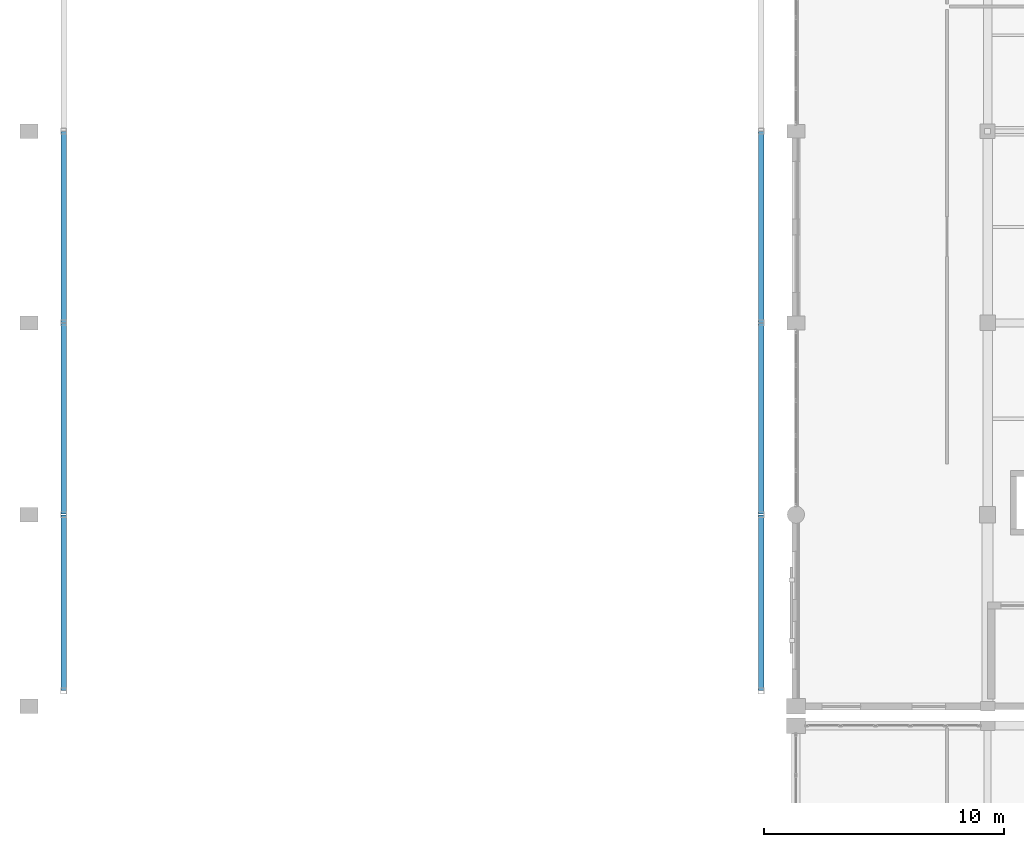
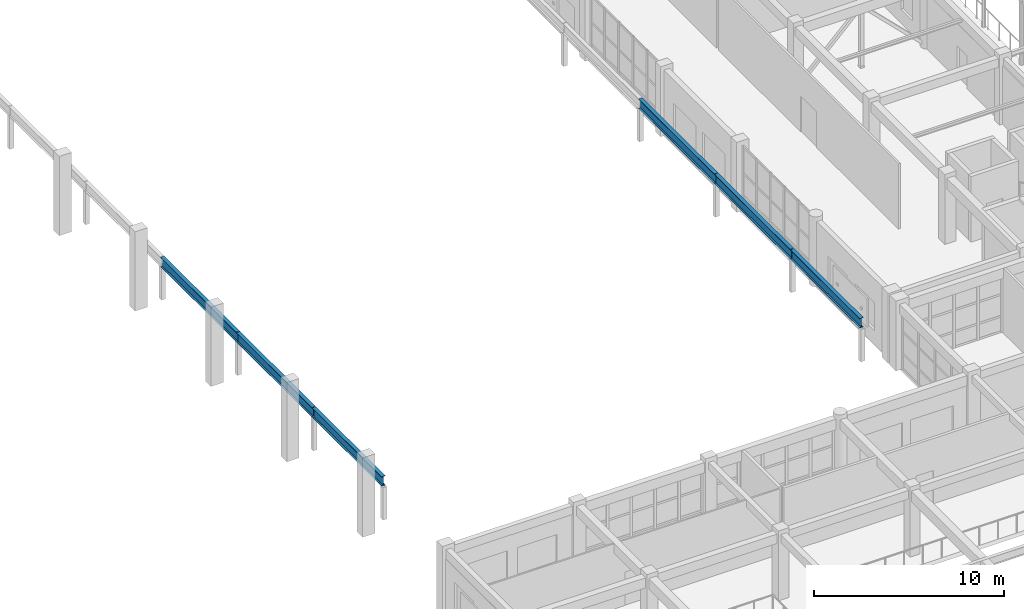
# One storey, part 49 of 160: 6 beams.
"""IFC4 building model written with IfcOpenShell, lengths in metres."""

from ifc_helpers import new_model, si_unit, direction, frame, origin, origin_2d, place, context, subcontext, project, spatial, i_section, extrude, material, material_profile, profile_set, type_object, element, save


model = new_model("IFC4")

# Units and contexts
model_context = context("Model", 3, precision=1e-05, world=origin(), true_north=direction((0.0, 1.0)))
body_context = subcontext(model_context, "Body", "Model", "MODEL_VIEW")
ifc_project = project(units=[si_unit("LENGTHUNIT", "METRE"), si_unit("AREAUNIT", "SQUARE_METRE"), si_unit("VOLUMEUNIT", "CUBIC_METRE"), si_unit("PLANEANGLEUNIT", "RADIAN"), si_unit("MASSUNIT", "GRAM", prefix="KILO")], contexts=[model_context])

# Site, building, storey
site_placement = place(None, origin())
site = spatial("IfcSite", under=ifc_project, at=site_placement, CompositionType="ELEMENT")
building_placement = place(site_placement, origin())
building = spatial("IfcBuilding", under=site, at=building_placement, Name="Kharva Crest Polytechnic", CompositionType="ELEMENT")
storey_placement = place(building_placement, frame((0.0, 0.0, 4.5)))
storey = spatial("IfcBuildingStorey", under=building, at=storey_placement, Name="L01", CompositionType="ELEMENT", Elevation=4.5)

# Beams
ifc_material = material(Name="Steel S355", Category="steel")
ifc_material_profile = material_profile(ifc_material, i_section(OverallWidth=0.22900390625, OverallDepth=0.612060546875, WebThickness=0.011962890625, FlangeThickness=0.01953125, at=origin_2d()), Name="W610X125")
ifc_profile_set = profile_set([ifc_material_profile], Name="Steel S355")
beam_type = type_object("IfcBeamType", Name="BM-STL-W610X125", PredefinedType="USERDEFINED", material=ifc_profile_set)
beam_1_placement = place(storey_placement, frame((1.449951171875, 39.469970703125, 2.39404296875), z_axis=(0.0, 1.0, 0.0), x_axis=(-1.0, 0.0, 0.0)))
element("IfcBeam", 1, at=beam_1_placement, inside=storey, type_object=beam_type, Name="L01 Crane Runway Girder W1", ObjectType="GANTRY GIRDER", PredefinedType="USERDEFINED", context=body_context, shape_type="SweptSolid", body=[
    extrude(i_section(OverallWidth=0.22900390625, OverallDepth=0.612060546875, WebThickness=0.011962890625, FlangeThickness=0.01953125, at=origin_2d()), origin(), (0.0, 0.0, 1.0), 7.31005859375),
])
for number, where, z_axis, x_axis, name in (
    (2, (1.449951171875, 46.820068359375, 2.39404296875), (0.0, 1.0, 0.0), (-1.0, 0.0, 0.0), "L01 Crane Runway Girder W2"),
    (3, (1.449951171875, 54.820068359375, 2.39404296875), (0.0, 1.0, 0.0), (-1.0, 0.0, 0.0), "L01 Crane Runway Girder W3"),
):
    element("IfcBeam", number, at=place(storey_placement, frame(where, z_axis=z_axis, x_axis=x_axis)), inside=storey, type_object=beam_type, Name=name, ObjectType="GANTRY GIRDER", PredefinedType="USERDEFINED", context=body_context, shape_type="SweptSolid", body=[
        extrude(i_section(OverallWidth=0.22900390625, OverallDepth=0.612060546875, WebThickness=0.011962890625, FlangeThickness=0.01953125, at=origin_2d()), origin(), (0.0, 0.0, 1.0), 7.9599609375),
    ])
beam_2_placement = place(storey_placement, frame((30.550048828125, 39.469970703125, 2.39404296875), z_axis=(0.0, 1.0, 0.0), x_axis=(-1.0, 0.0, 0.0)))
element("IfcBeam", 4, at=beam_2_placement, inside=storey, type_object=beam_type, Name="L01 Crane Runway Girder E1", ObjectType="GANTRY GIRDER", PredefinedType="USERDEFINED", context=body_context, shape_type="SweptSolid", body=[
    extrude(i_section(OverallWidth=0.22900390625, OverallDepth=0.612060546875, WebThickness=0.011962890625, FlangeThickness=0.01953125, at=origin_2d()), origin(), (0.0, 0.0, 1.0), 7.31005859375),
])
for number, where, z_axis, x_axis, name in (
    (5, (30.550048828125, 46.820068359375, 2.39404296875), (0.0, 1.0, 0.0), (-1.0, 0.0, 0.0), "L01 Crane Runway Girder E2"),
    (6, (30.550048828125, 54.820068359375, 2.39404296875), (0.0, 1.0, 0.0), (-1.0, 0.0, 0.0), "L01 Crane Runway Girder E3"),
):
    element("IfcBeam", number, at=place(storey_placement, frame(where, z_axis=z_axis, x_axis=x_axis)), inside=storey, type_object=beam_type, Name=name, ObjectType="GANTRY GIRDER", PredefinedType="USERDEFINED", context=body_context, shape_type="SweptSolid", body=[
        extrude(i_section(OverallWidth=0.22900390625, OverallDepth=0.612060546875, WebThickness=0.011962890625, FlangeThickness=0.01953125, at=origin_2d()), origin(), (0.0, 0.0, 1.0), 7.9599609375),
    ])

save(model, "model.ifc")
